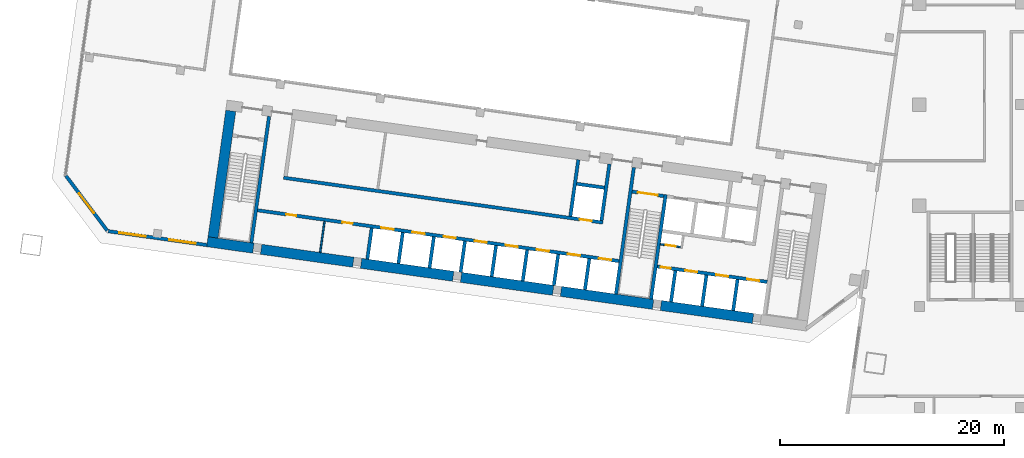
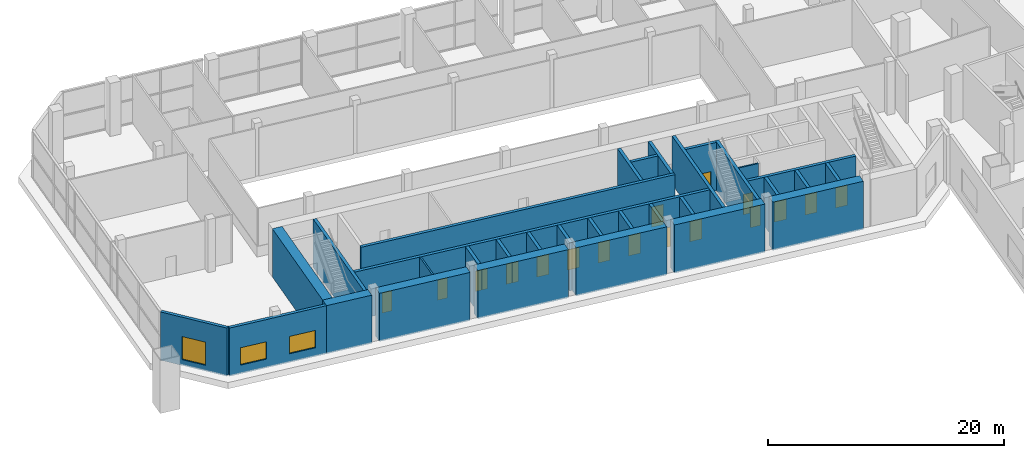
# One storey, part 10 of 23: 32 walls, 17 doors, 3 windows, 20 openings.
"""IFC4 building model written with IfcOpenShell, lengths in metres."""

from ifc_helpers import new_model, si_unit, direction, frame, frame_2d, origin, place, context, subcontext, project, spatial, rectangle, extrude, material, layer, layer_set, type_object, element, fill, save


model = new_model("IFC4")

# Units and contexts
model_context = context("Model", 3, precision=1e-05, world=origin(), true_north=direction((0.0, 1.0)))
body_context = subcontext(model_context, "Body", "Model", "MODEL_VIEW")
ifc_project = project(units=[si_unit("LENGTHUNIT", "METRE"), si_unit("AREAUNIT", "SQUARE_METRE"), si_unit("VOLUMEUNIT", "CUBIC_METRE"), si_unit("PLANEANGLEUNIT", "RADIAN"), si_unit("MASSUNIT", "GRAM", prefix="KILO")], contexts=[model_context])

# Site, building, storey
site_placement = place(None, origin())
site = spatial("IfcSite", under=ifc_project, at=site_placement, CompositionType="ELEMENT")
building_placement = place(site_placement, origin())
building = spatial("IfcBuilding", under=site, at=building_placement, Name="Mirante Cascada Hotel Towers", CompositionType="ELEMENT")
storey_placement = place(building_placement, frame((0.0, 0.0, 23.5)))
storey = spatial("IfcBuildingStorey", under=building, at=storey_placement, Name="L03", CompositionType="ELEMENT", Elevation=23.5)

# Wall, opening, door
ifc_material_1 = material(Name="Masonry block", Category="masonry")
ifc_layer_1 = layer(ifc_material_1, 0.15)
ifc_layer_set_1 = layer_set([ifc_layer_1], Name="Core room partition 150 block EI 30")
wall_type_1 = type_object("IfcWallType", Name="Core room partition 150 block EI 30", PredefinedType="PARTITIONING", material=ifc_layer_set_1)
wall_1_placement = place(storey_placement, frame((-48.2933, -12.7083, 0.0), z_axis=(0.0, 0.0, 1.0), x_axis=(-0.990268, 0.1391734, 0.0)))
wall_1 = element("IfcWall", 1, at=wall_1_placement, inside=storey, type_object=wall_type_1, Name="Core wall partition T1 L03 3", PredefinedType="PARTITIONING", context=body_context, shape_type="SweptSolid", body=[
    extrude(rectangle(XDim=1.8251, YDim=0.15, at=frame_2d((0.9126, 0.0))), origin(), (0.0, 0.0, 1.0), 5.0),
])
opening_1_placement = place(wall_1_placement, frame((0.4625, 0.0, 0.0)))
opening_1 = element("IfcOpeningElement", 2, at=opening_1_placement, cuts=wall_1, Name="Opening D1-03-C26", PredefinedType="OPENING", context=body_context, shape_type="SweptSolid", body=[
    extrude(rectangle(XDim=0.9, YDim=2.1, at=frame_2d((0.45, 1.05))), frame((0.0, 0.075, 0.0), z_axis=(0.0, -1.0, 0.0), x_axis=(1.0, 0.0, 0.0)), (0.0, 0.0, 1.0), 0.15),
])
ifc_material_2 = material(Name="Hollow metal fire door leaf")
door_type_1 = type_object("IfcDoorType", Name="Fire door 900x2100 FD60", OperationType="NOTDEFINED", PredefinedType="DOOR", material=ifc_material_2)
door_1_placement = place(opening_1_placement, origin())
door_1 = element("IfcDoor", 3, at=door_1_placement, inside=storey, type_object=door_type_1, Name="Riser door T1 L03 26", OperationType="SINGLE_SWING_RIGHT", OverallHeight=2.1, OverallWidth=0.9, PredefinedType="DOOR", context=body_context, shape_type="SweptSolid", body=[
    extrude(rectangle(XDim=0.9, YDim=2.1, at=frame_2d((0.45, 1.05))), frame((0.0, 0.025, 0.0), z_axis=(0.0, -1.0, 0.0), x_axis=(1.0, 0.0, 0.0)), (0.0, 0.0, 1.0), 0.05),
])
fill(opening_1, door_1)

# Wall
wall_2_placement = place(storey_placement, frame((-80.448, -13.1879, 0.0), z_axis=(0.0, 0.0, 1.0), x_axis=(0.139176, 0.9902677, 0.0)))
element("IfcWall", 4, at=wall_2_placement, inside=storey, type_object=wall_type_1, Name="Core wall partition T1 L03 4", PredefinedType="PARTITIONING", context=body_context, shape_type="SweptSolid", body=[
    extrude(rectangle(XDim=2.8001, YDim=0.15, at=frame_2d((1.4, 0.0))), origin(), (0.0, 0.0, 1.0), 5.0),
])

# Wall, openings, windows
ifc_material_3 = material(Name="Precast concrete C40/50", Category="concrete")
ifc_layer_2 = layer(ifc_material_3, 0.3)
ifc_layer_set_2 = layer_set([ifc_layer_2], Name="Precast concrete C40/50 cladding wall 300")
wall_type_2 = type_object("IfcWallType", Name="Precast concrete C40/50 cladding wall 300", PredefinedType="STANDARD", material=ifc_layer_set_2)
wall_3_placement = place(storey_placement, frame((-90.5541, -12.5249, 0.0), z_axis=(0.0, 0.0, 1.0), x_axis=(-0.9902676, 0.1391765, 0.0)))
wall_3 = element("IfcWall", 5, at=wall_3_placement, inside=storey, type_object=wall_type_2, Name="Rear cladding wall T1 L03 1", PredefinedType="STANDARD", context=body_context, shape_type="SweptSolid", body=[
    extrude(rectangle(XDim=8.8758, YDim=0.3, at=frame_2d((4.4379, 0.0))), origin(), (0.0, 0.0, 1.0), 5.0),
])
opening_2_placement = place(wall_3_placement, frame((1.0012, 0.0, 0.9)))
opening_2 = element("IfcOpeningElement", 6, at=opening_2_placement, cuts=wall_3, Name="Opening W1-03-01", PredefinedType="OPENING", context=body_context, shape_type="SweptSolid", body=[
    extrude(rectangle(XDim=2.4, YDim=1.8, at=frame_2d((1.2, 0.9))), frame((0.0, 0.15, 0.0), z_axis=(0.0, -1.0, 0.0), x_axis=(1.0, 0.0, 0.0)), (0.0, 0.0, 1.0), 0.3),
])
opening_3_placement = place(wall_3_placement, frame((5.4923, 0.0, 0.9)))
opening_3 = element("IfcOpeningElement", 7, at=opening_3_placement, cuts=wall_3, Name="Opening W1-03-02", PredefinedType="OPENING", context=body_context, shape_type="SweptSolid", body=[
    extrude(rectangle(XDim=2.4, YDim=1.8, at=frame_2d((1.2, 0.9))), frame((0.0, 0.15, 0.0), z_axis=(0.0, -1.0, 0.0), x_axis=(1.0, 0.0, 0.0)), (0.0, 0.0, 1.0), 0.3),
])
ifc_material_4 = material(Name="Aluminium frame with clear double glazing", Category="aluminium")
window_type_1 = type_object("IfcWindowType", Name="Punched window 2400x1800", PartitioningType="DOUBLE_PANEL_VERTICAL", PredefinedType="WINDOW", material=ifc_material_4)
window_1_placement = place(opening_2_placement, origin())
window_1 = element("IfcWindow", 8, at=window_1_placement, inside=storey, type_object=window_type_1, Name="Window W1-03-01", OverallHeight=1.8, OverallWidth=2.4, PartitioningType="SINGLE_PANEL", PredefinedType="WINDOW", context=body_context, shape_type="SweptSolid", body=[
    extrude(rectangle(XDim=2.4, YDim=1.8, at=frame_2d((1.2, 0.9))), frame((0.0, 0.03, 0.0), z_axis=(0.0, -1.0, 0.0), x_axis=(1.0, 0.0, 0.0)), (0.0, 0.0, 1.0), 0.06),
])
fill(opening_2, window_1)
window_2_placement = place(opening_3_placement, origin())
window_2 = element("IfcWindow", 9, at=window_2_placement, inside=storey, type_object=window_type_1, Name="Window W1-03-02", OverallHeight=1.8, OverallWidth=2.4, PartitioningType="SINGLE_PANEL", PredefinedType="WINDOW", context=body_context, shape_type="SweptSolid", body=[
    extrude(rectangle(XDim=2.4, YDim=1.8, at=frame_2d((1.2, 0.9))), frame((0.0, 0.03, 0.0), z_axis=(0.0, -1.0, 0.0), x_axis=(1.0, 0.0, 0.0)), (0.0, 0.0, 1.0), 0.06),
])
fill(opening_3, window_2)

# Wall, opening, window
wall_4_placement = place(storey_placement, frame((-99.4424, -11.2313, 0.0), z_axis=(0.0, 0.0, 1.0), x_axis=(-0.6018194, 0.7986322, 0.0)))
wall_4 = element("IfcWall", 10, at=wall_4_placement, inside=storey, type_object=wall_type_2, Name="Corner cladding wall T1 L03 rear outer", PredefinedType="STANDARD", context=body_context, shape_type="SweptSolid", body=[
    extrude(rectangle(XDim=6.1155, YDim=0.3, at=frame_2d((3.0578, 0.0))), origin(), (0.0, 0.0, 1.0), 5.0),
])
opening_4_placement = place(wall_4_placement, frame((1.9576, 0.0, 0.6)))
opening_4 = element("IfcOpeningElement", 11, at=opening_4_placement, cuts=wall_4, Name="Opening W1-03-03", PredefinedType="OPENING", context=body_context, shape_type="SweptSolid", body=[
    extrude(rectangle(XDim=2.2, YDim=2.4, at=frame_2d((1.1, 1.2))), frame((0.0, 0.15, 0.0), z_axis=(0.0, -1.0, 0.0), x_axis=(1.0, 0.0, 0.0)), (0.0, 0.0, 1.0), 0.3),
])
ifc_material_5 = material(Name="Aluminium frame with clear double glazing", Category="aluminium")
window_type_2 = type_object("IfcWindowType", Name="Corner suite window 2200x2400", PartitioningType="DOUBLE_PANEL_VERTICAL", PredefinedType="WINDOW", material=ifc_material_5)
window_3_placement = place(opening_4_placement, origin())
window_3 = element("IfcWindow", 12, at=window_3_placement, inside=storey, type_object=window_type_2, Name="Window W1-03-03", OverallHeight=2.4, OverallWidth=2.2, PartitioningType="SINGLE_PANEL", PredefinedType="WINDOW", context=body_context, shape_type="SweptSolid", body=[
    extrude(rectangle(XDim=2.2, YDim=2.4, at=frame_2d((1.1, 1.2))), frame((0.0, 0.03, 0.0), z_axis=(0.0, -1.0, 0.0), x_axis=(1.0, 0.0, 0.0)), (0.0, 0.0, 1.0), 0.06),
])
fill(opening_4, window_3)

# Walls
ifc_material_6 = material(Name="Concrete C50/60", Category="concrete")
ifc_layer_3 = layer(ifc_material_6, 0.3)
ifc_layer_set_3 = layer_set([ifc_layer_3], Name="RC core wall 300 C50/60")
wall_type_3 = type_object("IfcWallType", Name="RC core wall 300 C50/60", PredefinedType="SHEAR", material=ifc_layer_set_3)
wall_5_placement = place(storey_placement, frame((-50.938, -17.3352, 0.0), z_axis=(0.0, 0.0, 1.0), x_axis=(0.1391706, 0.9902684, 0.0)))
element("IfcWall", 13, at=wall_5_placement, inside=storey, type_object=wall_type_3, Name="Core wall T1:L03:6", PredefinedType="SHEAR", context=body_context, shape_type="SweptSolid", body=[
    extrude(rectangle(XDim=9.4, YDim=0.3, at=frame_2d((4.7, 0.0))), origin(), (0.0, 0.0, 1.0), 5.0),
])
wall_6_placement = place(storey_placement, frame((-54.0574, -16.8968, 0.0), z_axis=(0.0, 0.0, 1.0), x_axis=(0.1391761, 0.9902677, 0.0)))
element("IfcWall", 14, at=wall_6_placement, inside=storey, type_object=wall_type_3, Name="Core wall T1:L03:7", PredefinedType="SHEAR", context=body_context, shape_type="SweptSolid", body=[
    extrude(rectangle(XDim=11.3999, YDim=0.3, at=frame_2d((5.7, 0.0))), origin(), (0.0, 0.0, 1.0), 5.0),
])
wall_7_placement = place(storey_placement, frame((-86.5877, -12.325, 0.0), z_axis=(0.0, 0.0, 1.0), x_axis=(0.1391749, 0.9902678, 0.0)))
element("IfcWall", 15, at=wall_7_placement, inside=storey, type_object=wall_type_3, Name="Core wall T1:L03:8", PredefinedType="SHEAR", context=body_context, shape_type="SweptSolid", body=[
    extrude(rectangle(XDim=11.4, YDim=0.3, at=frame_2d((5.7, 0.0))), origin(), (0.0, 0.0, 1.0), 5.0),
])

# Wall, opening, door
wall_8_placement = place(storey_placement, frame((-49.7992, -8.1544, 0.0), z_axis=(0.0, 0.0, 1.0), x_axis=(-0.9902656, 0.1391909, 0.0)))
wall_8 = element("IfcWall", 16, at=wall_8_placement, inside=storey, type_object=wall_type_3, Name="Core wall T1:L03:10", PredefinedType="SHEAR", context=body_context, shape_type="SweptSolid", body=[
    extrude(rectangle(XDim=2.85, YDim=0.3, at=frame_2d((1.425, 0.0))), origin(), (0.0, 0.0, 1.0), 5.0),
])
opening_5_placement = place(wall_8_placement, frame((0.525, 0.0, 0.0)))
opening_5 = element("IfcOpeningElement", 17, at=opening_5_placement, cuts=wall_8, Name="Opening D1-03-C18", PredefinedType="OPENING", context=body_context, shape_type="SweptSolid", body=[
    extrude(rectangle(XDim=1.8, YDim=2.1, at=frame_2d((0.9, 1.05))), frame((0.0, 0.15, 0.0), z_axis=(0.0, -1.0, 0.0), x_axis=(1.0, 0.0, 0.0)), (0.0, 0.0, 1.0), 0.3),
])
ifc_material_7 = material(Name="Hollow metal fire door leaf")
door_type_2 = type_object("IfcDoorType", Name="Double fire door 1800x2100 FD60", OperationType="DOUBLE_DOOR_SINGLE_SWING", PredefinedType="DOOR", material=ifc_material_7)
door_2_placement = place(opening_5_placement, origin())
door_2 = element("IfcDoor", 18, at=door_2_placement, inside=storey, type_object=door_type_2, Name="Stair door T1 L03 18", OperationType="DOUBLE_DOOR_SINGLE_SWING", OverallHeight=2.1, OverallWidth=1.8, PredefinedType="DOOR", context=body_context, shape_type="SweptSolid", body=[
    extrude(rectangle(XDim=0.895, YDim=2.1, at=frame_2d((0.4475, 1.05))), frame((0.0, 0.025, 0.0), z_axis=(0.0, -1.0, 0.0), x_axis=(1.0, 0.0, 0.0)), (0.0, 0.0, 1.0), 0.05),
    extrude(rectangle(XDim=0.895, YDim=2.1, at=frame_2d((1.3525, 1.05))), frame((0.0, 0.025, 0.0), z_axis=(0.0, -1.0, 0.0), x_axis=(1.0, 0.0, 0.0)), (0.0, 0.0, 1.0), 0.05),
])
fill(opening_5, door_2)

# Wall, openings, doors
wall_9_placement = place(storey_placement, frame((-40.5753, -15.8126, 0.0), z_axis=(0.0, 0.0, 1.0), x_axis=(-0.9902682, 0.1391725, 0.0)))
wall_9 = element("IfcWall", 19, at=wall_9_placement, inside=storey, type_object=wall_type_3, Name="Core wall T1:L03:12", PredefinedType="SHEAR", context=body_context, shape_type="SweptSolid", body=[
    extrude(rectangle(XDim=9.8999, YDim=0.3, at=frame_2d((4.95, 0.0))), origin(), (0.0, 0.0, 1.0), 5.0),
])
opening_6_placement = place(wall_9_placement, frame((0.7, 0.0, 0.0)))
opening_6 = element("IfcOpeningElement", 20, at=opening_6_placement, cuts=wall_9, Name="Opening LD", PredefinedType="OPENING", context=body_context, shape_type="SweptSolid", body=[
    extrude(rectangle(XDim=1.1, YDim=2.1, at=frame_2d((0.55, 1.05))), frame((0.0, 0.15, 0.0), z_axis=(0.0, -1.0, 0.0), x_axis=(1.0, 0.0, 0.0)), (0.0, 0.0, 1.0), 0.3),
])
opening_7_placement = place(wall_9_placement, frame((3.5, 0.0, 0.0)))
opening_7 = element("IfcOpeningElement", 21, at=opening_7_placement, cuts=wall_9, Name="Opening LD", PredefinedType="OPENING", context=body_context, shape_type="SweptSolid", body=[
    extrude(rectangle(XDim=1.1, YDim=2.1, at=frame_2d((0.55, 1.05))), frame((0.0, 0.15, 0.0), z_axis=(0.0, -1.0, 0.0), x_axis=(1.0, 0.0, 0.0)), (0.0, 0.0, 1.0), 0.3),
])
opening_8_placement = place(wall_9_placement, frame((6.3, 0.0, 0.0)))
opening_8 = element("IfcOpeningElement", 22, at=opening_8_placement, cuts=wall_9, Name="Opening LD", PredefinedType="OPENING", context=body_context, shape_type="SweptSolid", body=[
    extrude(rectangle(XDim=1.1, YDim=2.1, at=frame_2d((0.55, 1.05))), frame((0.0, 0.15, 0.0), z_axis=(0.0, -1.0, 0.0), x_axis=(1.0, 0.0, 0.0)), (0.0, 0.0, 1.0), 0.3),
])
opening_9_placement = place(wall_9_placement, frame((8.7, 0.0, 0.0)))
opening_9 = element("IfcOpeningElement", 23, at=opening_9_placement, cuts=wall_9, Name="Opening D1-03-C25", PredefinedType="OPENING", context=body_context, shape_type="SweptSolid", body=[
    extrude(rectangle(XDim=0.9, YDim=2.1, at=frame_2d((0.45, 1.05))), frame((0.0, 0.15, 0.0), z_axis=(0.0, -1.0, 0.0), x_axis=(1.0, 0.0, 0.0)), (0.0, 0.0, 1.0), 0.3),
])
door_3_placement = place(opening_9_placement, origin())
door_3 = element("IfcDoor", 24, at=door_3_placement, inside=storey, type_object=door_type_1, Name="Riser door T1 L03 25", OperationType="SINGLE_SWING_LEFT", OverallHeight=2.1, OverallWidth=0.9, PredefinedType="DOOR", context=body_context, shape_type="SweptSolid", body=[
    extrude(rectangle(XDim=0.9, YDim=2.1, at=frame_2d((0.45, 1.05))), frame((0.0, 0.025, 0.0), z_axis=(0.0, -1.0, 0.0), x_axis=(1.0, 0.0, 0.0)), (0.0, 0.0, 1.0), 0.05),
])
fill(opening_9, door_3)
ifc_material_8 = material(Name="Stainless steel", Category="steel")
door_type_3 = type_object("IfcDoorType", Name="Lift landing door 1100x2100 EI 120", OperationType="DOUBLE_DOOR_SLIDING", PredefinedType="DOOR", material=ifc_material_8)
door_4_placement = place(opening_6_placement, origin())
door_4 = element("IfcDoor", 25, at=door_4_placement, inside=storey, type_object=door_type_3, Name="Lift landing door HR1-1 L03", OperationType="DOUBLE_DOOR_SLIDING", OverallHeight=2.1, OverallWidth=1.1, PredefinedType="DOOR", context=body_context, shape_type="SweptSolid", body=[
    extrude(rectangle(XDim=0.545, YDim=2.1, at=frame_2d((0.2725, 1.05))), frame((0.0, 0.025, 0.0), z_axis=(0.0, -1.0, 0.0), x_axis=(1.0, 0.0, 0.0)), (0.0, 0.0, 1.0), 0.05),
    extrude(rectangle(XDim=0.545, YDim=2.1, at=frame_2d((0.8275, 1.05))), frame((0.0, 0.025, 0.0), z_axis=(0.0, -1.0, 0.0), x_axis=(1.0, 0.0, 0.0)), (0.0, 0.0, 1.0), 0.05),
])
fill(opening_6, door_4)
door_5_placement = place(opening_7_placement, origin())
door_5 = element("IfcDoor", 26, at=door_5_placement, inside=storey, type_object=door_type_3, Name="Lift landing door HR1-2 L03", OperationType="DOUBLE_DOOR_SLIDING", OverallHeight=2.1, OverallWidth=1.1, PredefinedType="DOOR", context=body_context, shape_type="SweptSolid", body=[
    extrude(rectangle(XDim=0.545, YDim=2.1, at=frame_2d((0.2725, 1.05))), frame((0.0, 0.025, 0.0), z_axis=(0.0, -1.0, 0.0), x_axis=(1.0, 0.0, 0.0)), (0.0, 0.0, 1.0), 0.05),
    extrude(rectangle(XDim=0.545, YDim=2.1, at=frame_2d((0.8275, 1.05))), frame((0.0, 0.025, 0.0), z_axis=(0.0, -1.0, 0.0), x_axis=(1.0, 0.0, 0.0)), (0.0, 0.0, 1.0), 0.05),
])
fill(opening_7, door_5)
door_6_placement = place(opening_8_placement, origin())
door_6 = element("IfcDoor", 27, at=door_6_placement, inside=storey, type_object=door_type_3, Name="Lift landing door HR1-3 L03", OperationType="DOUBLE_DOOR_SLIDING", OverallHeight=2.1, OverallWidth=1.1, PredefinedType="DOOR", context=body_context, shape_type="SweptSolid", body=[
    extrude(rectangle(XDim=0.545, YDim=2.1, at=frame_2d((0.2725, 1.05))), frame((0.0, 0.025, 0.0), z_axis=(0.0, -1.0, 0.0), x_axis=(1.0, 0.0, 0.0)), (0.0, 0.0, 1.0), 0.05),
    extrude(rectangle(XDim=0.545, YDim=2.1, at=frame_2d((0.8275, 1.05))), frame((0.0, 0.025, 0.0), z_axis=(0.0, -1.0, 0.0), x_axis=(1.0, 0.0, 0.0)), (0.0, 0.0, 1.0), 0.05),
])
fill(opening_8, door_6)

# Walls
wall_10_placement = place(storey_placement, frame((-43.61, -18.3651, 0.0), z_axis=(0.0, 0.0, 1.0), x_axis=(0.1391459, 0.9902719, 0.0)))
element("IfcWall", 28, at=wall_10_placement, inside=storey, type_object=wall_type_3, Name="Core wall T1:L03:15", PredefinedType="SHEAR", context=body_context, shape_type="SweptSolid", body=[
    extrude(rectangle(XDim=2.7999, YDim=0.3, at=frame_2d((1.4, 0.0))), origin(), (0.0, 0.0, 1.0), 5.0),
])
wall_11_placement = place(storey_placement, frame((-46.3828, -17.9754, 0.0), z_axis=(0.0, 0.0, 1.0), x_axis=(0.139181, 0.990267, 0.0)))
element("IfcWall", 29, at=wall_11_placement, inside=storey, type_object=wall_type_3, Name="Core wall T1:L03:16", PredefinedType="SHEAR", context=body_context, shape_type="SweptSolid", body=[
    extrude(rectangle(XDim=2.8, YDim=0.3, at=frame_2d((1.4, 0.0))), origin(), (0.0, 0.0, 1.0), 5.0),
])
wall_12_placement = place(storey_placement, frame((-49.1555, -17.5857, 0.0), z_axis=(0.0, 0.0, 1.0), x_axis=(0.1391459, 0.9902719, 0.0)))
element("IfcWall", 30, at=wall_12_placement, inside=storey, type_object=wall_type_3, Name="Core wall T1:L03:17", PredefinedType="SHEAR", context=body_context, shape_type="SweptSolid", body=[
    extrude(rectangle(XDim=2.7999, YDim=0.3, at=frame_2d((1.4, 0.0))), origin(), (0.0, 0.0, 1.0), 5.0),
])

# Wall, openings, doors
wall_13_placement = place(storey_placement, frame((-53.7953, -13.9547, 0.0), z_axis=(0.0, 0.0, 1.0), x_axis=(-0.990268, 0.1391733, 0.0)))
wall_13 = element("IfcWall", 31, at=wall_13_placement, inside=storey, type_object=wall_type_3, Name="Core wall T1:L03:24", PredefinedType="SHEAR", context=body_context, shape_type="SweptSolid", body=[
    extrude(rectangle(XDim=32.5501, YDim=0.3, at=frame_2d((16.275, 0.0))), origin(), (0.0, 0.0, 1.0), 5.0),
])
opening_10_placement = place(wall_13_placement, frame((0.7, 0.0, 0.0)))
opening_10 = element("IfcOpeningElement", 32, at=opening_10_placement, cuts=wall_13, Name="Opening LD", PredefinedType="OPENING", context=body_context, shape_type="SweptSolid", body=[
    extrude(rectangle(XDim=1.1, YDim=2.1, at=frame_2d((0.55, 1.05))), frame((0.0, 0.15, 0.0), z_axis=(0.0, -1.0, 0.0), x_axis=(1.0, 0.0, 0.0)), (0.0, 0.0, 1.0), 0.3),
])
opening_11_placement = place(wall_13_placement, frame((3.5, 0.0, 0.0)))
opening_11 = element("IfcOpeningElement", 33, at=opening_11_placement, cuts=wall_13, Name="Opening LD", PredefinedType="OPENING", context=body_context, shape_type="SweptSolid", body=[
    extrude(rectangle(XDim=1.1, YDim=2.1, at=frame_2d((0.55, 1.05))), frame((0.0, 0.15, 0.0), z_axis=(0.0, -1.0, 0.0), x_axis=(1.0, 0.0, 0.0)), (0.0, 0.0, 1.0), 0.3),
])
opening_12_placement = place(wall_13_placement, frame((6.3, 0.0, 0.0)))
opening_12 = element("IfcOpeningElement", 34, at=opening_12_placement, cuts=wall_13, Name="Opening LD", PredefinedType="OPENING", context=body_context, shape_type="SweptSolid", body=[
    extrude(rectangle(XDim=1.1, YDim=2.1, at=frame_2d((0.55, 1.05))), frame((0.0, 0.15, 0.0), z_axis=(0.0, -1.0, 0.0), x_axis=(1.0, 0.0, 0.0)), (0.0, 0.0, 1.0), 0.3),
])
opening_13_placement = place(wall_13_placement, frame((9.1, 0.0, 0.0)))
opening_13 = element("IfcOpeningElement", 35, at=opening_13_placement, cuts=wall_13, Name="Opening LD", PredefinedType="OPENING", context=body_context, shape_type="SweptSolid", body=[
    extrude(rectangle(XDim=1.1, YDim=2.1, at=frame_2d((0.55, 1.05))), frame((0.0, 0.15, 0.0), z_axis=(0.0, -1.0, 0.0), x_axis=(1.0, 0.0, 0.0)), (0.0, 0.0, 1.0), 0.3),
])
opening_14_placement = place(wall_13_placement, frame((11.9, 0.0, 0.0)))
opening_14 = element("IfcOpeningElement", 36, at=opening_14_placement, cuts=wall_13, Name="Opening LD", PredefinedType="OPENING", context=body_context, shape_type="SweptSolid", body=[
    extrude(rectangle(XDim=1.1, YDim=2.1, at=frame_2d((0.55, 1.05))), frame((0.0, 0.15, 0.0), z_axis=(0.0, -1.0, 0.0), x_axis=(1.0, 0.0, 0.0)), (0.0, 0.0, 1.0), 0.3),
])
opening_15_placement = place(wall_13_placement, frame((14.7, 0.0, 0.0)))
opening_15 = element("IfcOpeningElement", 37, at=opening_15_placement, cuts=wall_13, Name="Opening LD", PredefinedType="OPENING", context=body_context, shape_type="SweptSolid", body=[
    extrude(rectangle(XDim=1.1, YDim=2.1, at=frame_2d((0.55, 1.05))), frame((0.0, 0.15, 0.0), z_axis=(0.0, -1.0, 0.0), x_axis=(1.0, 0.0, 0.0)), (0.0, 0.0, 1.0), 0.3),
])
opening_16_placement = place(wall_13_placement, frame((17.5, 0.0, 0.0)))
opening_16 = element("IfcOpeningElement", 38, at=opening_16_placement, cuts=wall_13, Name="Opening LD", PredefinedType="OPENING", context=body_context, shape_type="SweptSolid", body=[
    extrude(rectangle(XDim=1.1, YDim=2.1, at=frame_2d((0.55, 1.05))), frame((0.0, 0.15, 0.0), z_axis=(0.0, -1.0, 0.0), x_axis=(1.0, 0.0, 0.0)), (0.0, 0.0, 1.0), 0.3),
])
opening_17_placement = place(wall_13_placement, frame((20.3, 0.0, 0.0)))
opening_17 = element("IfcOpeningElement", 39, at=opening_17_placement, cuts=wall_13, Name="Opening LD", PredefinedType="OPENING", context=body_context, shape_type="SweptSolid", body=[
    extrude(rectangle(XDim=1.1, YDim=2.1, at=frame_2d((0.55, 1.05))), frame((0.0, 0.15, 0.0), z_axis=(0.0, -1.0, 0.0), x_axis=(1.0, 0.0, 0.0)), (0.0, 0.0, 1.0), 0.3),
])
opening_18_placement = place(wall_13_placement, frame((24.0, 0.0, 0.0)))
opening_18 = element("IfcOpeningElement", 40, at=opening_18_placement, cuts=wall_13, Name="Opening D1-03-C28", PredefinedType="OPENING", context=body_context, shape_type="SweptSolid", body=[
    extrude(rectangle(XDim=0.9, YDim=2.1, at=frame_2d((0.45, 1.05))), frame((0.0, 0.15, 0.0), z_axis=(0.0, -1.0, 0.0), x_axis=(1.0, 0.0, 0.0)), (0.0, 0.0, 1.0), 0.3),
])
opening_19_placement = place(wall_13_placement, frame((29.075, 0.0, 0.0)))
opening_19 = element("IfcOpeningElement", 41, at=opening_19_placement, cuts=wall_13, Name="Opening D1-03-C29", PredefinedType="OPENING", context=body_context, shape_type="SweptSolid", body=[
    extrude(rectangle(XDim=0.9, YDim=2.1, at=frame_2d((0.45, 1.05))), frame((0.0, 0.15, 0.0), z_axis=(0.0, -1.0, 0.0), x_axis=(1.0, 0.0, 0.0)), (0.0, 0.0, 1.0), 0.3),
])
door_7_placement = place(opening_18_placement, origin())
door_7 = element("IfcDoor", 42, at=door_7_placement, inside=storey, type_object=door_type_1, Name="Room door T1 L03 28", OperationType="SINGLE_SWING_LEFT", OverallHeight=2.1, OverallWidth=0.9, PredefinedType="DOOR", context=body_context, shape_type="SweptSolid", body=[
    extrude(rectangle(XDim=0.9, YDim=2.1, at=frame_2d((0.45, 1.05))), frame((0.0, 0.025, 0.0), z_axis=(0.0, -1.0, 0.0), x_axis=(1.0, 0.0, 0.0)), (0.0, 0.0, 1.0), 0.05),
])
fill(opening_18, door_7)
door_8_placement = place(opening_19_placement, origin())
door_8 = element("IfcDoor", 43, at=door_8_placement, inside=storey, type_object=door_type_1, Name="Room door T1 L03 29", OperationType="SINGLE_SWING_LEFT", OverallHeight=2.1, OverallWidth=0.9, PredefinedType="DOOR", context=body_context, shape_type="SweptSolid", body=[
    extrude(rectangle(XDim=0.9, YDim=2.1, at=frame_2d((0.45, 1.05))), frame((0.0, 0.025, 0.0), z_axis=(0.0, -1.0, 0.0), x_axis=(1.0, 0.0, 0.0)), (0.0, 0.0, 1.0), 0.05),
])
fill(opening_19, door_8)
door_9_placement = place(opening_10_placement, origin())
door_9 = element("IfcDoor", 44, at=door_9_placement, inside=storey, type_object=door_type_3, Name="Lift landing door LR1-1 L03", OperationType="DOUBLE_DOOR_SLIDING", OverallHeight=2.1, OverallWidth=1.1, PredefinedType="DOOR", context=body_context, shape_type="SweptSolid", body=[
    extrude(rectangle(XDim=0.545, YDim=2.1, at=frame_2d((0.2725, 1.05))), frame((0.0, 0.025, 0.0), z_axis=(0.0, -1.0, 0.0), x_axis=(1.0, 0.0, 0.0)), (0.0, 0.0, 1.0), 0.05),
    extrude(rectangle(XDim=0.545, YDim=2.1, at=frame_2d((0.8275, 1.05))), frame((0.0, 0.025, 0.0), z_axis=(0.0, -1.0, 0.0), x_axis=(1.0, 0.0, 0.0)), (0.0, 0.0, 1.0), 0.05),
])
fill(opening_10, door_9)
door_10_placement = place(opening_11_placement, origin())
door_10 = element("IfcDoor", 45, at=door_10_placement, inside=storey, type_object=door_type_3, Name="Lift landing door LR1-2 L03", OperationType="DOUBLE_DOOR_SLIDING", OverallHeight=2.1, OverallWidth=1.1, PredefinedType="DOOR", context=body_context, shape_type="SweptSolid", body=[
    extrude(rectangle(XDim=0.545, YDim=2.1, at=frame_2d((0.2725, 1.05))), frame((0.0, 0.025, 0.0), z_axis=(0.0, -1.0, 0.0), x_axis=(1.0, 0.0, 0.0)), (0.0, 0.0, 1.0), 0.05),
    extrude(rectangle(XDim=0.545, YDim=2.1, at=frame_2d((0.8275, 1.05))), frame((0.0, 0.025, 0.0), z_axis=(0.0, -1.0, 0.0), x_axis=(1.0, 0.0, 0.0)), (0.0, 0.0, 1.0), 0.05),
])
fill(opening_11, door_10)
door_11_placement = place(opening_12_placement, origin())
door_11 = element("IfcDoor", 46, at=door_11_placement, inside=storey, type_object=door_type_3, Name="Lift landing door SV1-1 L03", OperationType="DOUBLE_DOOR_SLIDING", OverallHeight=2.1, OverallWidth=1.1, PredefinedType="DOOR", context=body_context, shape_type="SweptSolid", body=[
    extrude(rectangle(XDim=0.545, YDim=2.1, at=frame_2d((0.2725, 1.05))), frame((0.0, 0.025, 0.0), z_axis=(0.0, -1.0, 0.0), x_axis=(1.0, 0.0, 0.0)), (0.0, 0.0, 1.0), 0.05),
    extrude(rectangle(XDim=0.545, YDim=2.1, at=frame_2d((0.8275, 1.05))), frame((0.0, 0.025, 0.0), z_axis=(0.0, -1.0, 0.0), x_axis=(1.0, 0.0, 0.0)), (0.0, 0.0, 1.0), 0.05),
])
fill(opening_12, door_11)
door_12_placement = place(opening_13_placement, origin())
door_12 = element("IfcDoor", 47, at=door_12_placement, inside=storey, type_object=door_type_3, Name="Lift landing door SV1-2 L03", OperationType="DOUBLE_DOOR_SLIDING", OverallHeight=2.1, OverallWidth=1.1, PredefinedType="DOOR", context=body_context, shape_type="SweptSolid", body=[
    extrude(rectangle(XDim=0.545, YDim=2.1, at=frame_2d((0.2725, 1.05))), frame((0.0, 0.025, 0.0), z_axis=(0.0, -1.0, 0.0), x_axis=(1.0, 0.0, 0.0)), (0.0, 0.0, 1.0), 0.05),
    extrude(rectangle(XDim=0.545, YDim=2.1, at=frame_2d((0.8275, 1.05))), frame((0.0, 0.025, 0.0), z_axis=(0.0, -1.0, 0.0), x_axis=(1.0, 0.0, 0.0)), (0.0, 0.0, 1.0), 0.05),
])
fill(opening_13, door_12)
door_13_placement = place(opening_14_placement, origin())
door_13 = element("IfcDoor", 48, at=door_13_placement, inside=storey, type_object=door_type_3, Name="Lift landing door SV1-3 L03", OperationType="DOUBLE_DOOR_SLIDING", OverallHeight=2.1, OverallWidth=1.1, PredefinedType="DOOR", context=body_context, shape_type="SweptSolid", body=[
    extrude(rectangle(XDim=0.545, YDim=2.1, at=frame_2d((0.2725, 1.05))), frame((0.0, 0.025, 0.0), z_axis=(0.0, -1.0, 0.0), x_axis=(1.0, 0.0, 0.0)), (0.0, 0.0, 1.0), 0.05),
    extrude(rectangle(XDim=0.545, YDim=2.1, at=frame_2d((0.8275, 1.05))), frame((0.0, 0.025, 0.0), z_axis=(0.0, -1.0, 0.0), x_axis=(1.0, 0.0, 0.0)), (0.0, 0.0, 1.0), 0.05),
])
fill(opening_14, door_13)
door_14_placement = place(opening_15_placement, origin())
door_14 = element("IfcDoor", 49, at=door_14_placement, inside=storey, type_object=door_type_3, Name="Lift landing door SV1-4 L03", OperationType="DOUBLE_DOOR_SLIDING", OverallHeight=2.1, OverallWidth=1.1, PredefinedType="DOOR", context=body_context, shape_type="SweptSolid", body=[
    extrude(rectangle(XDim=0.545, YDim=2.1, at=frame_2d((0.2725, 1.05))), frame((0.0, 0.025, 0.0), z_axis=(0.0, -1.0, 0.0), x_axis=(1.0, 0.0, 0.0)), (0.0, 0.0, 1.0), 0.05),
    extrude(rectangle(XDim=0.545, YDim=2.1, at=frame_2d((0.8275, 1.05))), frame((0.0, 0.025, 0.0), z_axis=(0.0, -1.0, 0.0), x_axis=(1.0, 0.0, 0.0)), (0.0, 0.0, 1.0), 0.05),
])
fill(opening_15, door_14)
door_15_placement = place(opening_16_placement, origin())
door_15 = element("IfcDoor", 50, at=door_15_placement, inside=storey, type_object=door_type_3, Name="Lift landing door PS1-1 L03", OperationType="DOUBLE_DOOR_SLIDING", OverallHeight=2.1, OverallWidth=1.1, PredefinedType="DOOR", context=body_context, shape_type="SweptSolid", body=[
    extrude(rectangle(XDim=0.545, YDim=2.1, at=frame_2d((0.2725, 1.05))), frame((0.0, 0.025, 0.0), z_axis=(0.0, -1.0, 0.0), x_axis=(1.0, 0.0, 0.0)), (0.0, 0.0, 1.0), 0.05),
    extrude(rectangle(XDim=0.545, YDim=2.1, at=frame_2d((0.8275, 1.05))), frame((0.0, 0.025, 0.0), z_axis=(0.0, -1.0, 0.0), x_axis=(1.0, 0.0, 0.0)), (0.0, 0.0, 1.0), 0.05),
])
fill(opening_16, door_15)
door_16_placement = place(opening_17_placement, origin())
door_16 = element("IfcDoor", 51, at=door_16_placement, inside=storey, type_object=door_type_3, Name="Lift landing door PS1-2 L03", OperationType="DOUBLE_DOOR_SLIDING", OverallHeight=2.1, OverallWidth=1.1, PredefinedType="DOOR", context=body_context, shape_type="SweptSolid", body=[
    extrude(rectangle(XDim=0.545, YDim=2.1, at=frame_2d((0.2725, 1.05))), frame((0.0, 0.025, 0.0), z_axis=(0.0, -1.0, 0.0), x_axis=(1.0, 0.0, 0.0)), (0.0, 0.0, 1.0), 0.05),
    extrude(rectangle(XDim=0.545, YDim=2.1, at=frame_2d((0.8275, 1.05))), frame((0.0, 0.025, 0.0), z_axis=(0.0, -1.0, 0.0), x_axis=(1.0, 0.0, 0.0)), (0.0, 0.0, 1.0), 0.05),
])
fill(opening_17, door_16)

# Walls
for number, where, z_axis, x_axis, name in (
    (52, (-56.8301, -16.5072, 0.0), (0.0, 0.0, 1.0), (0.139176, 0.9902677, 0.0), "Core wall T1:L03:25"),
    (53, (-59.6029, -16.1175, 0.0), (0.0, 0.0, 1.0), (0.139176, 0.9902677, 0.0), "Core wall T1:L03:26"),
    (54, (-62.3756, -15.7278, 0.0), (0.0, 0.0, 1.0), (0.139176, 0.9902677, 0.0), "Core wall T1:L03:27"),
    (55, (-65.1484, -15.3381, 0.0), (0.0, 0.0, 1.0), (0.139176, 0.9902677, 0.0), "Core wall T1:L03:28"),
):
    element("IfcWall", number, at=place(storey_placement, frame(where, z_axis=z_axis, x_axis=x_axis)), inside=storey, type_object=wall_type_3, Name=name, PredefinedType="SHEAR", context=body_context, shape_type="SweptSolid", body=[
        extrude(rectangle(XDim=2.8001, YDim=0.3, at=frame_2d((1.4, 0.0))), origin(), (0.0, 0.0, 1.0), 5.0),
    ])
for number, where, z_axis, x_axis, name in (
    (56, (-67.9211, -14.9484, 0.0), (0.0, 0.0, 1.0), (0.139181, 0.990267, 0.0), "Core wall T1:L03:29"),
    (57, (-70.6939, -14.5587, 0.0), (0.0, 0.0, 1.0), (0.139181, 0.990267, 0.0), "Core wall T1:L03:30"),
    (58, (-73.4666, -14.169, 0.0), (0.0, 0.0, 1.0), (0.139181, 0.990267, 0.0), "Core wall T1:L03:31"),
):
    element("IfcWall", number, at=place(storey_placement, frame(where, z_axis=z_axis, x_axis=x_axis)), inside=storey, type_object=wall_type_3, Name=name, PredefinedType="SHEAR", context=body_context, shape_type="SweptSolid", body=[
        extrude(rectangle(XDim=2.8, YDim=0.3, at=frame_2d((1.4, 0.0))), origin(), (0.0, 0.0, 1.0), 5.0),
    ])
wall_14_placement = place(storey_placement, frame((-76.2394, -13.7794, 0.0), z_axis=(0.0, 0.0, 1.0), x_axis=(0.139176, 0.9902677, 0.0)))
element("IfcWall", 59, at=wall_14_placement, inside=storey, type_object=wall_type_3, Name="Core wall T1:L03:32", PredefinedType="SHEAR", context=body_context, shape_type="SweptSolid", body=[
    extrude(rectangle(XDim=2.8001, YDim=0.3, at=frame_2d((1.4, 0.0))), origin(), (0.0, 0.0, 1.0), 5.0),
])

# Wall, opening, door
wall_15_placement = place(storey_placement, frame((-55.2315, -10.5214, 0.0), z_axis=(0.0, 0.0, 1.0), x_axis=(-0.9902682, 0.1391722, 0.0)))
wall_15 = element("IfcWall", 60, at=wall_15_placement, inside=storey, type_object=wall_type_3, Name="Core wall T1:L03:34", PredefinedType="SHEAR", context=body_context, shape_type="SweptSolid", body=[
    extrude(rectangle(XDim=28.75, YDim=0.3, at=frame_2d((14.375, 0.0))), origin(), (0.0, 0.0, 1.0), 5.0),
])
opening_20_placement = place(wall_15_placement, frame((1.0, 0.0, 0.0)))
opening_20 = element("IfcOpeningElement", 61, at=opening_20_placement, cuts=wall_15, Name="Opening LD", PredefinedType="OPENING", context=body_context, shape_type="SweptSolid", body=[
    extrude(rectangle(XDim=1.1, YDim=2.1, at=frame_2d((0.55, 1.05))), frame((0.0, 0.15, 0.0), z_axis=(0.0, -1.0, 0.0), x_axis=(1.0, 0.0, 0.0)), (0.0, 0.0, 1.0), 0.3),
])
door_17_placement = place(opening_20_placement, origin())
door_17 = element("IfcDoor", 62, at=door_17_placement, inside=storey, type_object=door_type_3, Name="Lift landing door LR1-3 L03", OperationType="DOUBLE_DOOR_SLIDING", OverallHeight=2.1, OverallWidth=1.1, PredefinedType="DOOR", context=body_context, shape_type="SweptSolid", body=[
    extrude(rectangle(XDim=0.545, YDim=2.1, at=frame_2d((0.2725, 1.05))), frame((0.0, 0.025, 0.0), z_axis=(0.0, -1.0, 0.0), x_axis=(1.0, 0.0, 0.0)), (0.0, 0.0, 1.0), 0.05),
    extrude(rectangle(XDim=0.545, YDim=2.1, at=frame_2d((0.8275, 1.05))), frame((0.0, 0.025, 0.0), z_axis=(0.0, -1.0, 0.0), x_axis=(1.0, 0.0, 0.0)), (0.0, 0.0, 1.0), 0.05),
])
fill(opening_20, door_17)

# Walls
for number, where, z_axis, x_axis, name in (
    (63, (-55.3592, -10.352, 0.0), (0.0, 0.0, 1.0), (0.1391755, 0.9902677, 0.0), "Core wall T1:L03:35"),
    (64, (-58.1319, -9.9623, 0.0), (0.0, 0.0, 1.0), (0.1391755, 0.9902677, 0.0), "Core wall T1:L03:37"),
):
    element("IfcWall", number, at=place(storey_placement, frame(where, z_axis=z_axis, x_axis=x_axis)), inside=storey, type_object=wall_type_3, Name=name, PredefinedType="SHEAR", context=body_context, shape_type="SweptSolid", body=[
        extrude(rectangle(XDim=5.1, YDim=0.3, at=frame_2d((2.55, 0.0))), origin(), (0.0, 0.0, 1.0), 5.0),
    ])
wall_16_placement = place(storey_placement, frame((-55.0971, -7.4098, 0.0), z_axis=(0.0, 0.0, 1.0), x_axis=(-0.9902701, 0.1391586, 0.0)))
element("IfcWall", 65, at=wall_16_placement, inside=storey, type_object=wall_type_3, Name="Core wall T1:L03:38", PredefinedType="SHEAR", context=body_context, shape_type="SweptSolid", body=[
    extrude(rectangle(XDim=2.5, YDim=0.3, at=frame_2d((1.25, 0.0))), origin(), (0.0, 0.0, 1.0), 5.0),
])
ifc_material_9 = material(Name="Concrete C50/60", Category="concrete")
ifc_layer_4 = layer(ifc_material_9, 0.9)
ifc_layer_set_4 = layer_set([ifc_layer_4], Name="RC core wall 900 C50/60")
wall_type_4 = type_object("IfcWallType", Name="RC core wall 900 C50/60", PredefinedType="SHEAR", material=ifc_layer_set_4)
for number, where, z_axis, x_axis, name in (
    (66, (-41.8407, -19.0682, 0.0), (0.0, 0.0, 1.0), (-0.9902686, 0.1391692, 0.0), "Core wall T1:L03:1.2"),
    (67, (-50.7531, -17.8156, 0.0), (0.0, 0.0, 1.0), (-0.9902686, 0.1391692, 0.0), "Core wall T1:L03:1.3"),
    (68, (-59.6655, -16.5631, 0.0), (0.0, 0.0, 1.0), (-0.9902686, 0.1391692, 0.0), "Core wall T1:L03:1.4"),
    (69, (-68.5779, -15.3105, 0.0), (0.0, 0.0, 1.0), (-0.9902686, 0.1391692, 0.0), "Core wall T1:L03:1.5"),
    (70, (-77.4903, -14.058, 0.0), (0.0, 0.0, 1.0), (-0.990267, 0.139181, 0.0), "Core wall T1:L03:1.6"),
):
    element("IfcWall", number, at=place(storey_placement, frame(where, z_axis=z_axis, x_axis=x_axis)), inside=storey, type_object=wall_type_4, Name=name, PredefinedType="SHEAR", context=body_context, shape_type="SweptSolid", body=[
        extrude(rectangle(XDim=8.3, YDim=0.9, at=frame_2d((4.15, 0.0))), origin(), (0.0, 0.0, 1.0), 5.0),
    ])
wall_17_placement = place(storey_placement, frame((-86.4027, -12.8054, 0.0), z_axis=(0.0, 0.0, 1.0), x_axis=(-0.990267, 0.139181, 0.0)))
element("IfcWall", 71, at=wall_17_placement, inside=storey, type_object=wall_type_4, Name="Core wall T1:L03:1.7", PredefinedType="SHEAR", context=body_context, shape_type="SweptSolid", body=[
    extrude(rectangle(XDim=4.15, YDim=0.9, at=frame_2d((2.075, 0.0))), origin(), (0.0, 0.0, 1.0), 5.0),
])
wall_18_placement = place(storey_placement, frame((-90.0041, -11.8449, 0.0), z_axis=(0.0, 0.0, 1.0), x_axis=(0.1391749, 0.9902678, 0.0)))
element("IfcWall", 72, at=wall_18_placement, inside=storey, type_object=wall_type_4, Name="Core wall T1:L03:4", PredefinedType="SHEAR", context=body_context, shape_type="SweptSolid", body=[
    extrude(rectangle(XDim=11.4, YDim=0.9, at=frame_2d((5.7, 0.0))), origin(), (0.0, 0.0, 1.0), 5.0),
])

save(model, "model.ifc")
